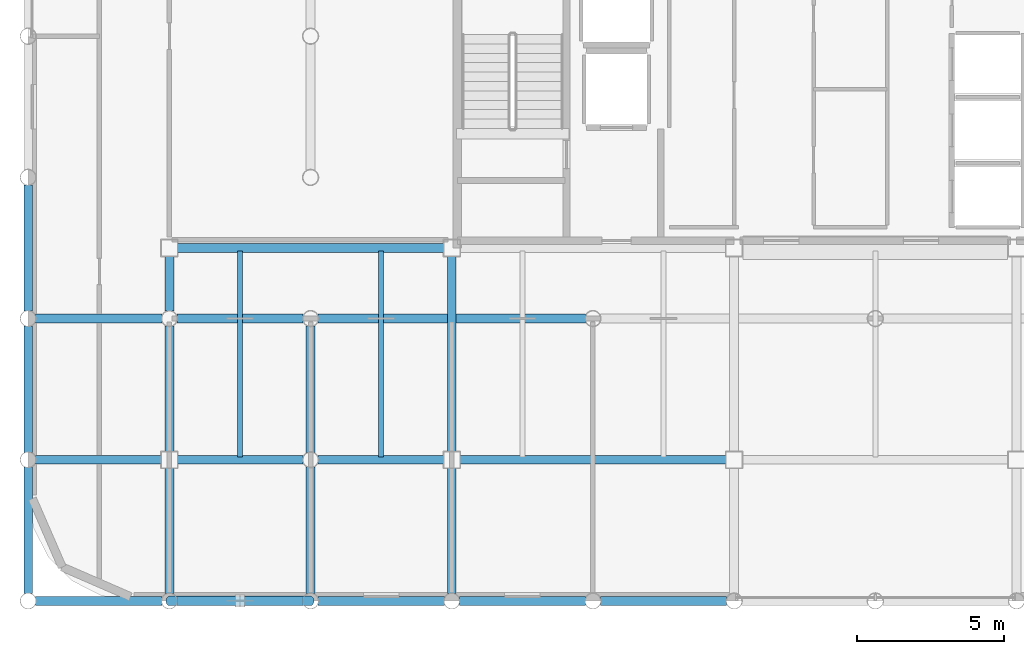
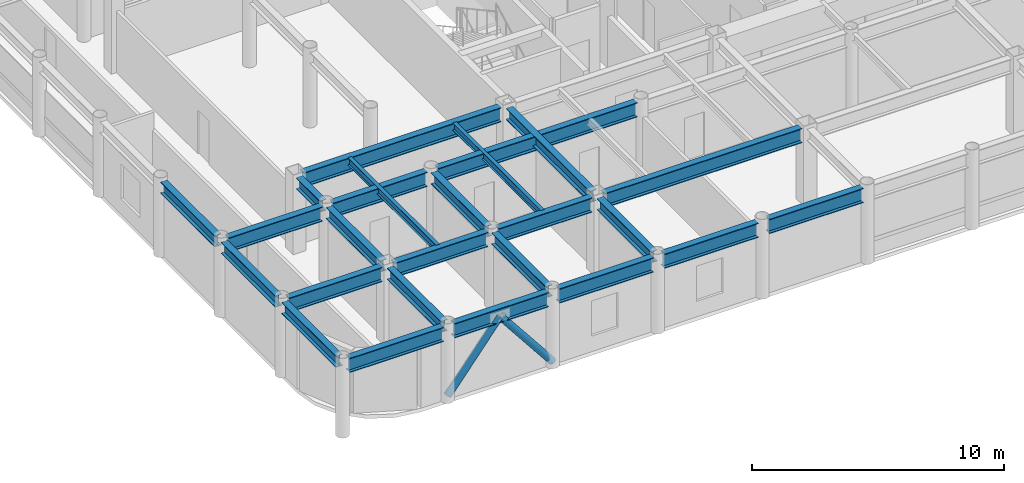
# One storey, part 3 of 22: 25 beams, 2 members.
"""IFC4 building model written with IfcOpenShell, lengths in metres."""

from ifc_helpers import new_model, si_unit, direction, frame, origin, origin_2d, place, context, subcontext, project, spatial, hollow_circle, i_section, extrude, material, material_profile, profile_set, type_object, element, save


model = new_model("IFC4")

# Units and contexts
model_context = context("Model", 3, precision=1e-05, world=origin(), true_north=direction((0.0, 1.0)))
body_context = subcontext(model_context, "Body", "Model", "MODEL_VIEW")
ifc_project = project(units=[si_unit("LENGTHUNIT", "METRE"), si_unit("AREAUNIT", "SQUARE_METRE"), si_unit("VOLUMEUNIT", "CUBIC_METRE"), si_unit("PLANEANGLEUNIT", "RADIAN"), si_unit("MASSUNIT", "GRAM", prefix="KILO")], contexts=[model_context])

# Site, building, storey
site_placement = place(None, origin())
site = spatial("IfcSite", under=ifc_project, at=site_placement, CompositionType="ELEMENT")
building_placement = place(site_placement, origin())
building = spatial("IfcBuilding", under=site, at=building_placement, Name="Kallvorn Hotel Tower", CompositionType="ELEMENT")
storey_placement = place(building_placement, frame((0.0, 0.0, 230.0)))
storey = spatial("IfcBuildingStorey", under=building, at=storey_placement, Name="L57", CompositionType="ELEMENT", Elevation=230.0)

# Beams
ifc_material_1 = material(Name="Structural steel S355JR", Category="steel")
ifc_material_profile_1 = material_profile(ifc_material_1, i_section(OverallWidth=0.300048828125, OverallDepth=0.550048828125, WebThickness=0.014892578125, FlangeThickness=0.029052734375, at=origin_2d()), Name="HE 550 B")
ifc_profile_set_1 = profile_set([ifc_material_profile_1], Name="Structural steel S355JR")
beam_type_1 = type_object("IfcBeamType", Name="BM_HE550B", PredefinedType="SPANDREL", material=ifc_profile_set_1)
for number, where, z_axis, x_axis, name in (
    (1, (-28.800048828125, -18.945556640625, 3.39501953125), (0.0, 1.0, 0.0), (-1.0, 0.0, 0.0), "L58 Primary Y-Girder 73"),
    (2, (-28.800048828125, -14.1455078125, 3.39501953125), (0.0, 1.0, 0.0), (-1.0, 0.0, 0.0), "L58 Primary Y-Girder 74"),
    (3, (-28.800048828125, -9.345458984375, 3.39501953125), (0.0, 1.0, 0.0), (-1.0, 0.0, 0.0), "L58 Primary Y-Girder 75"),
):
    element("IfcBeam", number, at=place(storey_placement, frame(where, z_axis=z_axis, x_axis=x_axis)), inside=storey, type_object=beam_type_1, Name=name, PredefinedType="SPANDREL", context=body_context, shape_type="SweptSolid", body=[
        extrude(i_section(OverallWidth=0.300048828125, OverallDepth=0.550048828125, WebThickness=0.014892578125, FlangeThickness=0.029052734375, at=origin_2d()), origin(), (0.0, 0.0, 1.0), 4.291015625),
    ])
for number, where, z_axis, x_axis, name in (
    (4, (-24.0, -18.945556640625, 3.39501953125), (0.0, 1.0, 0.0), (-1.0, 0.0, 0.0), "L58 Primary Y-Girder 81"),
    (5, (-24.0, -14.125, 3.39501953125), (0.0, 1.0, 0.0), (-1.0, 0.0, 0.0), "L58 Primary Y-Girder 82"),
):
    element("IfcBeam", number, at=place(storey_placement, frame(where, z_axis=z_axis, x_axis=x_axis)), inside=storey, type_object=beam_type_1, Name=name, PredefinedType="SPANDREL", context=body_context, shape_type="SweptSolid", body=[
        extrude(i_section(OverallWidth=0.300048828125, OverallDepth=0.550048828125, WebThickness=0.014892578125, FlangeThickness=0.029052734375, at=origin_2d()), origin(), (0.0, 0.0, 1.0), 4.2705078125),
    ])
beam_1_placement = place(storey_placement, frame((-24.0, -9.345458984375, 3.39501953125), z_axis=(0.0, 1.0, 0.0), x_axis=(-1.0, 0.0, 0.0)))
element("IfcBeam", 6, at=beam_1_placement, inside=storey, type_object=beam_type_1, Name="L58 Primary Y-Girder 83", PredefinedType="SPANDREL", context=body_context, shape_type="SweptSolid", body=[
    extrude(i_section(OverallWidth=0.300048828125, OverallDepth=0.550048828125, WebThickness=0.014892578125, FlangeThickness=0.029052734375, at=origin_2d()), origin(), (0.0, 0.0, 1.0), 1.870361328125),
])
for number, where, z_axis, x_axis, name in (
    (7, (-19.199951171875, -18.945556640625, 3.39501953125), (0.0, 1.0, 0.0), (-1.0, 0.0, 0.0), "L58 Primary Y-Girder 88"),
    (8, (-19.199951171875, -14.1455078125, 3.39501953125), (0.0, 1.0, 0.0), (-1.0, 0.0, 0.0), "L58 Primary Y-Girder 89"),
):
    element("IfcBeam", number, at=place(storey_placement, frame(where, z_axis=z_axis, x_axis=x_axis)), inside=storey, type_object=beam_type_1, Name=name, PredefinedType="SPANDREL", context=body_context, shape_type="SweptSolid", body=[
        extrude(i_section(OverallWidth=0.300048828125, OverallDepth=0.550048828125, WebThickness=0.014892578125, FlangeThickness=0.029052734375, at=origin_2d()), origin(), (0.0, 0.0, 1.0), 4.291015625),
    ])
beam_2_placement = place(storey_placement, frame((-14.39990234375, -18.945556640625, 3.39501953125), z_axis=(0.0, 1.0, 0.0), x_axis=(-1.0, 0.0, 0.0)))
element("IfcBeam", 9, at=beam_2_placement, inside=storey, type_object=beam_type_1, Name="L58 Primary Y-Girder 97", PredefinedType="SPANDREL", context=body_context, shape_type="SweptSolid", body=[
    extrude(i_section(OverallWidth=0.300048828125, OverallDepth=0.550048828125, WebThickness=0.014892578125, FlangeThickness=0.029052734375, at=origin_2d()), origin(), (0.0, 0.0, 1.0), 4.2705078125),
])
beam_3_placement = place(storey_placement, frame((-14.39990234375, -14.125, 3.39501953125), z_axis=(0.0, 1.0, 0.0), x_axis=(-1.0, 0.0, 0.0)))
element("IfcBeam", 10, at=beam_3_placement, inside=storey, type_object=beam_type_1, Name="L58 Primary Y-Girder 98", PredefinedType="SPANDREL", context=body_context, shape_type="SweptSolid", body=[
    extrude(i_section(OverallWidth=0.300048828125, OverallDepth=0.550048828125, WebThickness=0.014892578125, FlangeThickness=0.029052734375, at=origin_2d()), origin(), (0.0, 0.0, 1.0), 6.64990234375),
])
ifc_material_2 = material(Name="Structural steel S355JR", Category="steel")
ifc_material_profile_2 = material_profile(ifc_material_2, i_section(OverallWidth=0.300048828125, OverallDepth=0.699951171875, WebThickness=0.01708984375, FlangeThickness=0.031982421875, at=origin_2d()), Name="HE 700 B")
ifc_profile_set_2 = profile_set([ifc_material_profile_2], Name="Structural steel S355JR")
beam_type_2 = type_object("IfcBeamType", Name="BM_HE700B", PredefinedType="BEAM", material=ifc_profile_set_2)
for number, where, z_axis, x_axis, name in (
    (11, (-28.54541015625, -19.199951171875, 3.320068359375), (1.0, 0.0, 0.0), (0.0, 1.0, 0.0), "L58 Primary X-Girder 01"),
    (12, (-23.74560546875, -19.199951171875, 3.320068359375), (1.0, 0.0, 0.0), (0.0, 1.0, 0.0), "L58 Primary X-Girder 02"),
    (13, (-18.945556640625, -19.199951171875, 3.320068359375), (1.0, 0.0, 0.0), (0.0, 1.0, 0.0), "L58 Primary X-Girder 03"),
    (14, (-14.1455078125, -19.199951171875, 3.320068359375), (1.0, 0.0, 0.0), (0.0, 1.0, 0.0), "L58 Primary X-Girder 04"),
    (15, (-9.345458984375, -19.199951171875, 3.320068359375), (1.0, 0.0, 0.0), (0.0, 1.0, 0.0), "L58 Primary X-Girder 05"),
):
    element("IfcBeam", number, at=place(storey_placement, frame(where, z_axis=z_axis, x_axis=x_axis)), inside=storey, type_object=beam_type_2, Name=name, PredefinedType="BEAM", context=body_context, shape_type="SweptSolid", body=[
        extrude(i_section(OverallWidth=0.300048828125, OverallDepth=0.699951171875, WebThickness=0.01708984375, FlangeThickness=0.031982421875, at=origin_2d()), origin(), (0.0, 0.0, 1.0), 4.291015625),
    ])
for number, where, z_axis, x_axis, name in (
    (16, (-28.54541015625, -14.39990234375, 3.320068359375), (1.0, 0.0, 0.0), (0.0, 1.0, 0.0), "L58 Primary X-Girder 13"),
    (17, (-23.72509765625, -14.39990234375, 3.320068359375), (1.0, 0.0, 0.0), (0.0, 1.0, 0.0), "L58 Primary X-Girder 14"),
    (18, (-18.945556640625, -14.39990234375, 3.320068359375), (1.0, 0.0, 0.0), (0.0, 1.0, 0.0), "L58 Primary X-Girder 15"),
):
    element("IfcBeam", number, at=place(storey_placement, frame(where, z_axis=z_axis, x_axis=x_axis)), inside=storey, type_object=beam_type_2, Name=name, PredefinedType="BEAM", context=body_context, shape_type="SweptSolid", body=[
        extrude(i_section(OverallWidth=0.300048828125, OverallDepth=0.699951171875, WebThickness=0.01708984375, FlangeThickness=0.031982421875, at=origin_2d()), origin(), (0.0, 0.0, 1.0), 4.2705078125),
    ])
beam_4_placement = place(storey_placement, frame((-14.125, -14.39990234375, 3.320068359375), z_axis=(1.0, 0.0, 0.0), x_axis=(0.0, 1.0, 0.0)))
element("IfcBeam", 19, at=beam_4_placement, inside=storey, type_object=beam_type_2, Name="L58 Primary X-Girder 16", PredefinedType="BEAM", context=body_context, shape_type="SweptSolid", body=[
    extrude(i_section(OverallWidth=0.300048828125, OverallDepth=0.699951171875, WebThickness=0.01708984375, FlangeThickness=0.031982421875, at=origin_2d()), origin(), (0.0, 0.0, 1.0), 9.050048828125),
])
for number, where, z_axis, x_axis, name in (
    (20, (-28.54541015625, -9.60009765625, 3.320068359375), (1.0, 0.0, 0.0), (0.0, 1.0, 0.0), "L58 Primary X-Girder 23"),
    (21, (-23.74560546875, -9.60009765625, 3.320068359375), (1.0, 0.0, 0.0), (0.0, 1.0, 0.0), "L58 Primary X-Girder 24"),
):
    element("IfcBeam", number, at=place(storey_placement, frame(where, z_axis=z_axis, x_axis=x_axis)), inside=storey, type_object=beam_type_2, Name=name, PredefinedType="BEAM", context=body_context, shape_type="SweptSolid", body=[
        extrude(i_section(OverallWidth=0.300048828125, OverallDepth=0.699951171875, WebThickness=0.01708984375, FlangeThickness=0.031982421875, at=origin_2d()), origin(), (0.0, 0.0, 1.0), 4.291015625),
    ])
beam_5_placement = place(storey_placement, frame((-18.945556640625, -9.60009765625, 3.320068359375), z_axis=(1.0, 0.0, 0.0), x_axis=(0.0, 1.0, 0.0)))
element("IfcBeam", 22, at=beam_5_placement, inside=storey, type_object=beam_type_2, Name="L58 Primary X-Girder 25", PredefinedType="BEAM", context=body_context, shape_type="SweptSolid", body=[
    extrude(i_section(OverallWidth=0.300048828125, OverallDepth=0.699951171875, WebThickness=0.01708984375, FlangeThickness=0.031982421875, at=origin_2d()), origin(), (0.0, 0.0, 1.0), 9.091064453125),
])
beam_6_placement = place(storey_placement, frame((-23.72509765625, -7.199951171875, 3.320068359375), z_axis=(1.0, 0.0, 0.0), x_axis=(0.0, 1.0, 0.0)))
element("IfcBeam", 23, at=beam_6_placement, inside=storey, type_object=beam_type_2, Name="L58 Primary X-Girder 32", PredefinedType="BEAM", context=body_context, shape_type="SweptSolid", body=[
    extrude(i_section(OverallWidth=0.300048828125, OverallDepth=0.699951171875, WebThickness=0.01708984375, FlangeThickness=0.031982421875, at=origin_2d()), origin(), (0.0, 0.0, 1.0), 9.050048828125),
])
ifc_material_3 = material(Name="Structural steel S355JR", Category="steel")
ifc_material_profile_3 = material_profile(ifc_material_3, i_section(OverallWidth=0.169921875, OverallDepth=0.360107421875, WebThickness=0.008056640625, FlangeThickness=0.0126953125, at=origin_2d()), Name="IPE 360")
ifc_profile_set_3 = profile_set([ifc_material_profile_3], Name="Structural steel S355JR")
beam_type_3 = type_object("IfcBeamType", Name="BM_IPE360", PredefinedType="JOIST", material=ifc_profile_set_3)
for number, where, z_axis, x_axis, name in (
    (24, (-21.60009765625, -14.300048828125, 3.489990234375), (0.0, 1.0, 0.0), (-1.0, 0.0, 0.0), "L58 Secondary Composite Joist 192"),
    (25, (-16.800048828125, -14.300048828125, 3.489990234375), (0.0, 1.0, 0.0), (-1.0, 0.0, 0.0), "L58 Secondary Composite Joist 194"),
):
    element("IfcBeam", number, at=place(storey_placement, frame(where, z_axis=z_axis, x_axis=x_axis)), inside=storey, type_object=beam_type_3, Name=name, PredefinedType="JOIST", context=body_context, shape_type="SweptSolid", body=[
        extrude(i_section(OverallWidth=0.169921875, OverallDepth=0.360107421875, WebThickness=0.008056640625, FlangeThickness=0.0126953125, at=origin_2d()), origin(), (0.0, 0.0, 1.0), 7.0),
    ])

# Members
ifc_material_4 = material(Name="Structural steel S355J2H", Category="steel")
ifc_material_profile_4 = material_profile(ifc_material_4, hollow_circle(Radius=0.161865234375, WallThickness=0.012451171875, at=origin_2d()), Name="CHS 323.9x12.5")
ifc_profile_set_4 = profile_set([ifc_material_profile_4], Name="Structural steel S355J2H")
member_type = type_object("IfcMemberType", Name="MBR_EXO_CHS323", PredefinedType="BRACE", material=ifc_profile_set_4)
for number, where, z_axis, x_axis, name in (
    (26, (-23.987548828125, -19.199951171875, 0.19580078125), (0.620928510901, 0.0, 0.783867198159), (0.0, 1.0, 0.0), "L57 Exoskeleton K-Brace S1A"),
    (27, (-19.21240234375, -19.199951171875, 0.19580078125), (-0.620928510901, 0.0, 0.783867198159), (0.0, -1.0, 0.0), "L57 Exoskeleton K-Brace S1B"),
):
    element("IfcMember", number, at=place(storey_placement, frame(where, z_axis=z_axis, x_axis=x_axis)), inside=storey, type_object=member_type, Name=name, PredefinedType="BRACE", context=body_context, shape_type="SweptSolid", body=[
        extrude(hollow_circle(Radius=0.161865234375, WallThickness=0.012451171875, at=origin_2d()), origin(), (0.0, 0.0, 1.0), 3.8251953125),
    ])

save(model, "model.ifc")
